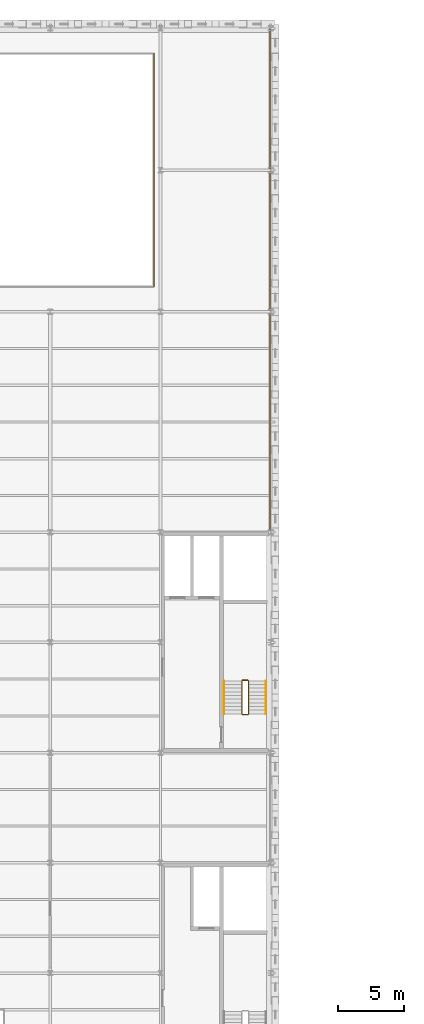
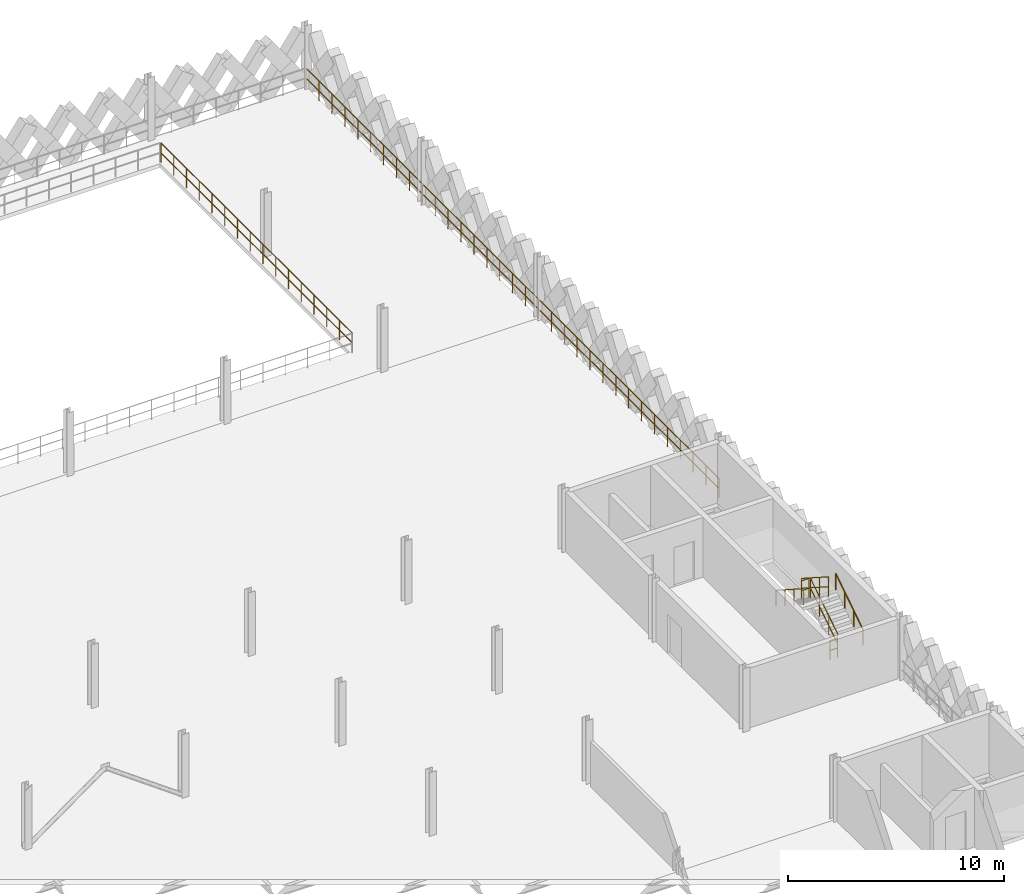
# One storey, part 72 of 74: 8 railings.
"""IFC4 building model written with IfcOpenShell, lengths in metres."""

from ifc_helpers import new_model, si_unit, direction, frame, origin, origin_2d, place, context, subcontext, project, spatial, circle, extrude, material, type_object, element, save


model = new_model("IFC4")

# Units and contexts
model_context = context("Model", 3, precision=1e-05, world=origin(), true_north=direction((0.0, 1.0)))
body_context = subcontext(model_context, "Body", "Model", "MODEL_VIEW")
ifc_project = project(units=[si_unit("LENGTHUNIT", "METRE"), si_unit("AREAUNIT", "SQUARE_METRE"), si_unit("VOLUMEUNIT", "CUBIC_METRE"), si_unit("PLANEANGLEUNIT", "RADIAN"), si_unit("MASSUNIT", "GRAM", prefix="KILO"), si_unit("THERMODYNAMICTEMPERATUREUNIT", "KELVIN"), si_unit("POWERUNIT", "WATT")], contexts=[model_context])

# Site, building, storey
site_placement = place(None, origin())
site = spatial("IfcSite", under=ifc_project, at=site_placement, CompositionType="ELEMENT")
building_placement = place(site_placement, origin())
building = spatial("IfcBuilding", under=site, at=building_placement, Name="Tembeka Court Mobility Hub", CompositionType="ELEMENT")
storey_placement = place(building_placement, frame((0.0, 0.0, 12.60009765625)))
storey = spatial("IfcBuildingStorey", under=building, at=storey_placement, Name="L03", CompositionType="ELEMENT", Elevation=12.60009765625)

# Railings
ifc_material_1 = material(Name="Painted galvanised steel balustrade", Category="steel")
railing_type_1 = type_object("IfcRailingType", Name="RL-GR01", PredefinedType="GUARDRAIL", material=ifc_material_1)
railing_1_placement = place(storey_placement, frame((83.5, 99.1298828125, 0.0)))
element("IfcRailing", 1, at=railing_1_placement, inside=storey, type_object=railing_type_1, Name="Perimeter guard GR01-0116", PredefinedType="GUARDRAIL", context=body_context, shape_type="SweptSolid", body=[
    extrude(circle(Radius=0.02392578125, at=origin_2d()), frame((0.0, 0.0, 1.09619140625), z_axis=(0.0, 1.0, 0.0), x_axis=(-1.0, 0.0, 0.0)), (0.0, 0.0, 1.0), 17.740234375),
    extrude(circle(Radius=0.02392578125, at=origin_2d()), frame((0.0, 0.0, 0.5361328125), z_axis=(0.0, 1.0, 0.0), x_axis=(-1.0, 0.0, 0.0)), (0.0, 0.0, 1.0), 17.740234375),
    extrude(circle(Radius=0.02099609375, at=origin_2d()), origin(), (0.0, 0.0, 1.0), 1.072021484375),
    extrude(circle(Radius=0.02099609375, at=origin_2d()), frame((0.0, 1.1826171875, 0.0)), (0.0, 0.0, 1.0), 1.072021484375),
    extrude(circle(Radius=0.02099609375, at=origin_2d()), frame((0.0, 2.365478515625, 0.0)), (0.0, 0.0, 1.0), 1.072021484375),
    extrude(circle(Radius=0.02099609375, at=origin_2d()), frame((0.0, 3.548095703125, 0.0)), (0.0, 0.0, 1.0), 1.072021484375),
    extrude(circle(Radius=0.02099609375, at=origin_2d()), frame((0.0, 4.730712890625, 0.0)), (0.0, 0.0, 1.0), 1.072021484375),
    extrude(circle(Radius=0.02099609375, at=origin_2d()), frame((0.0, 5.913330078125, 0.0)), (0.0, 0.0, 1.0), 1.072021484375),
    extrude(circle(Radius=0.02099609375, at=origin_2d()), frame((0.0, 7.09619140625, 0.0)), (0.0, 0.0, 1.0), 1.072021484375),
    extrude(circle(Radius=0.02099609375, at=origin_2d()), frame((0.0, 8.27880859375, 0.0)), (0.0, 0.0, 1.0), 1.072021484375),
    extrude(circle(Radius=0.02099609375, at=origin_2d()), frame((0.0, 9.46142578125, 0.0)), (0.0, 0.0, 1.0), 1.072021484375),
    extrude(circle(Radius=0.02099609375, at=origin_2d()), frame((0.0, 10.64404296875, 0.0)), (0.0, 0.0, 1.0), 1.072021484375),
    extrude(circle(Radius=0.02099609375, at=origin_2d()), frame((0.0, 11.826904296875, 0.0)), (0.0, 0.0, 1.0), 1.072021484375),
    extrude(circle(Radius=0.02099609375, at=origin_2d()), frame((0.0, 13.009521484375, 0.0)), (0.0, 0.0, 1.0), 1.072021484375),
    extrude(circle(Radius=0.02099609375, at=origin_2d()), frame((0.0, 14.192138671875, 0.0)), (0.0, 0.0, 1.0), 1.072021484375),
    extrude(circle(Radius=0.02099609375, at=origin_2d()), frame((0.0, 15.374755859375, 0.0)), (0.0, 0.0, 1.0), 1.072021484375),
    extrude(circle(Radius=0.02099609375, at=origin_2d()), frame((0.0, 16.5576171875, 0.0)), (0.0, 0.0, 1.0), 1.072021484375),
    extrude(circle(Radius=0.02099609375, at=origin_2d()), frame((0.0, 17.740234375, 0.0)), (0.0, 0.0, 1.0), 1.072021484375),
])
railing_2_placement = place(storey_placement, frame((90.699951171875, 66.550048828125, 0.179931640625)))
element("IfcRailing", 2, at=railing_2_placement, inside=storey, type_object=railing_type_1, Name="L03 ST02 stair guard 1-1", PredefinedType="GUARDRAIL", context=body_context, shape_type="SweptSolid", body=[
    extrude(circle(Radius=0.02392578125, at=origin_2d()), frame((0.0, 0.0, 1.09619140625), z_axis=(0.0, 0.841199657755, 0.540724639528), x_axis=(-1.0, 0.0, 0.0)), (0.0, 0.0, 1.0), 2.995849609375),
    extrude(circle(Radius=0.02392578125, at=origin_2d()), frame((0.0, 0.0, 0.5361328125), z_axis=(0.0, 0.841199657755, 0.540724639528), x_axis=(-1.0, 0.0, 0.0)), (0.0, 0.0, 1.0), 2.995849609375),
    extrude(circle(Radius=0.02099609375, at=origin_2d()), origin(), (0.0, 0.0, 1.0), 1.072021484375),
    extrude(circle(Radius=0.02099609375, at=origin_2d()), frame((0.0, 0.840087890625, 0.5400390625)), (0.0, 0.0, 1.0), 1.072021484375),
    extrude(circle(Radius=0.02099609375, at=origin_2d()), frame((0.0, 1.679931640625, 1.079833984375)), (0.0, 0.0, 1.0), 1.072021484375),
    extrude(circle(Radius=0.02099609375, at=origin_2d()), frame((0.0, 2.52001953125, 1.619873046875)), (0.0, 0.0, 1.0), 1.072021484375),
])
railing_3_placement = place(storey_placement, frame((90.64990234375, 69.1201171875, 1.7998046875)))
element("IfcRailing", 3, at=railing_3_placement, inside=storey, type_object=railing_type_1, Name="L03 ST02 stair guard 2-1", PredefinedType="GUARDRAIL", context=body_context, shape_type="SweptSolid", body=[
    extrude(circle(Radius=0.02392578125, at=origin_2d()), frame((0.0, 0.0, 1.09619140625), z_axis=(-1.0, 0.0, 0.0), x_axis=(0.0, -1.0, 0.0)), (0.0, 0.0, 1.0), 0.39990234375),
    extrude(circle(Radius=0.02392578125, at=origin_2d()), frame((0.0, 0.0, 0.5361328125), z_axis=(-1.0, 0.0, 0.0), x_axis=(0.0, -1.0, 0.0)), (0.0, 0.0, 1.0), 0.39990234375),
    extrude(circle(Radius=0.02099609375, at=origin_2d()), origin(), (0.0, 0.0, 1.0), 1.072021484375),
    extrude(circle(Radius=0.02099609375, at=origin_2d()), frame((-0.39990234375, 0.0, 0.0)), (0.0, 0.0, 1.0), 1.072021484375),
])
railing_4_placement = place(storey_placement, frame((90.199951171875, 69.070068359375, 1.97998046875)))
element("IfcRailing", 4, at=railing_4_placement, inside=storey, type_object=railing_type_1, Name="L03 ST02 stair guard 3-1", PredefinedType="GUARDRAIL", context=body_context, shape_type="SweptSolid", body=[
    extrude(circle(Radius=0.02392578125, at=origin_2d()), frame((0.0, 0.0, 1.09619140625), z_axis=(0.0, -0.841199657755, 0.540724639528), x_axis=(1.0, 0.0, 0.0)), (0.0, 0.0, 1.0), 2.995849609375),
    extrude(circle(Radius=0.02392578125, at=origin_2d()), frame((0.0, 0.0, 0.5361328125), z_axis=(0.0, -0.841199657755, 0.540724639528), x_axis=(1.0, 0.0, 0.0)), (0.0, 0.0, 1.0), 2.995849609375),
    extrude(circle(Radius=0.02099609375, at=origin_2d()), origin(), (0.0, 0.0, 1.0), 1.072021484375),
    extrude(circle(Radius=0.02099609375, at=origin_2d()), frame((0.0, -0.840087890625, 0.5400390625)), (0.0, 0.0, 1.0), 1.072021484375),
    extrude(circle(Radius=0.02099609375, at=origin_2d()), frame((0.0, -1.679931640625, 1.079833984375)), (0.0, 0.0, 1.0), 1.072021484375),
    extrude(circle(Radius=0.02099609375, at=origin_2d()), frame((0.0, -2.52001953125, 1.619873046875)), (0.0, 0.0, 1.0), 1.072021484375),
])
railing_5_placement = place(storey_placement, frame((90.64990234375, 66.5, 0.0)))
element("IfcRailing", 5, at=railing_5_placement, inside=storey, type_object=railing_type_1, Name="L03 ST02 stair guard 4-1", PredefinedType="GUARDRAIL", context=body_context, shape_type="SweptSolid", body=[
    extrude(circle(Radius=0.02392578125, at=origin_2d()), frame((0.0, 0.0, 1.09619140625), z_axis=(-1.0, 0.0, 0.0), x_axis=(0.0, -1.0, 0.0)), (0.0, 0.0, 1.0), 0.39990234375),
    extrude(circle(Radius=0.02392578125, at=origin_2d()), frame((0.0, 0.0, 0.5361328125), z_axis=(-1.0, 0.0, 0.0), x_axis=(0.0, -1.0, 0.0)), (0.0, 0.0, 1.0), 0.39990234375),
    extrude(circle(Radius=0.02099609375, at=origin_2d()), origin(), (0.0, 0.0, 1.0), 1.072021484375),
    extrude(circle(Radius=0.02099609375, at=origin_2d()), frame((-0.39990234375, 0.0, 0.0)), (0.0, 0.0, 1.0), 1.072021484375),
])
railing_type_2 = type_object("IfcRailingType", Name="RL-GR02", PredefinedType="GUARDRAIL", material=ifc_material_1)
railing_6_placement = place(storey_placement, frame((92.35009765625, 80.429931640625, 0.0)))
element("IfcRailing", 6, at=railing_6_placement, inside=storey, type_object=railing_type_2, Name="Perimeter guard GR02-0126", PredefinedType="GUARDRAIL", context=body_context, shape_type="SweptSolid", body=[
    extrude(circle(Radius=0.02392578125, at=origin_2d()), frame((0.0, 0.0, 1.09619140625), z_axis=(0.0, 1.0, 0.0), x_axis=(-1.0, 0.0, 0.0)), (0.0, 0.0, 1.0), 38.2900390625),
    extrude(circle(Radius=0.02392578125, at=origin_2d()), frame((0.0, 0.0, 0.5361328125), z_axis=(0.0, 1.0, 0.0), x_axis=(-1.0, 0.0, 0.0)), (0.0, 0.0, 1.0), 38.2900390625),
    extrude(circle(Radius=0.02099609375, at=origin_2d()), origin(), (0.0, 0.0, 1.0), 1.072021484375),
    extrude(circle(Radius=0.02099609375, at=origin_2d()), frame((0.0, 1.196533203125, 0.0)), (0.0, 0.0, 1.0), 1.072021484375),
    extrude(circle(Radius=0.02099609375, at=origin_2d()), frame((0.0, 2.39306640625, 0.0)), (0.0, 0.0, 1.0), 1.072021484375),
    extrude(circle(Radius=0.02099609375, at=origin_2d()), frame((0.0, 3.589599609375, 0.0)), (0.0, 0.0, 1.0), 1.072021484375),
    extrude(circle(Radius=0.02099609375, at=origin_2d()), frame((0.0, 4.7861328125, 0.0)), (0.0, 0.0, 1.0), 1.072021484375),
    extrude(circle(Radius=0.02099609375, at=origin_2d()), frame((0.0, 5.98291015625, 0.0)), (0.0, 0.0, 1.0), 1.072021484375),
    extrude(circle(Radius=0.02099609375, at=origin_2d()), frame((0.0, 7.179443359375, 0.0)), (0.0, 0.0, 1.0), 1.072021484375),
    extrude(circle(Radius=0.02099609375, at=origin_2d()), frame((0.0, 8.3759765625, 0.0)), (0.0, 0.0, 1.0), 1.072021484375),
    extrude(circle(Radius=0.02099609375, at=origin_2d()), frame((0.0, 9.572509765625, 0.0)), (0.0, 0.0, 1.0), 1.072021484375),
    extrude(circle(Radius=0.02099609375, at=origin_2d()), frame((0.0, 10.76904296875, 0.0)), (0.0, 0.0, 1.0), 1.072021484375),
    extrude(circle(Radius=0.02099609375, at=origin_2d()), frame((0.0, 11.965576171875, 0.0)), (0.0, 0.0, 1.0), 1.072021484375),
    extrude(circle(Radius=0.02099609375, at=origin_2d()), frame((0.0, 13.162109375, 0.0)), (0.0, 0.0, 1.0), 1.072021484375),
    extrude(circle(Radius=0.02099609375, at=origin_2d()), frame((0.0, 14.35888671875, 0.0)), (0.0, 0.0, 1.0), 1.072021484375),
    extrude(circle(Radius=0.02099609375, at=origin_2d()), frame((0.0, 15.555419921875, 0.0)), (0.0, 0.0, 1.0), 1.072021484375),
    extrude(circle(Radius=0.02099609375, at=origin_2d()), frame((0.0, 16.751953125, 0.0)), (0.0, 0.0, 1.0), 1.072021484375),
    extrude(circle(Radius=0.02099609375, at=origin_2d()), frame((0.0, 17.948486328125, 0.0)), (0.0, 0.0, 1.0), 1.072021484375),
    extrude(circle(Radius=0.02099609375, at=origin_2d()), frame((0.0, 19.14501953125, 0.0)), (0.0, 0.0, 1.0), 1.072021484375),
    extrude(circle(Radius=0.02099609375, at=origin_2d()), frame((0.0, 20.341552734375, 0.0)), (0.0, 0.0, 1.0), 1.072021484375),
    extrude(circle(Radius=0.02099609375, at=origin_2d()), frame((0.0, 21.5380859375, 0.0)), (0.0, 0.0, 1.0), 1.072021484375),
    extrude(circle(Radius=0.02099609375, at=origin_2d()), frame((0.0, 22.734619140625, 0.0)), (0.0, 0.0, 1.0), 1.072021484375),
    extrude(circle(Radius=0.02099609375, at=origin_2d()), frame((0.0, 23.93115234375, 0.0)), (0.0, 0.0, 1.0), 1.072021484375),
    extrude(circle(Radius=0.02099609375, at=origin_2d()), frame((0.0, 25.1279296875, 0.0)), (0.0, 0.0, 1.0), 1.072021484375),
    extrude(circle(Radius=0.02099609375, at=origin_2d()), frame((0.0, 26.324462890625, 0.0)), (0.0, 0.0, 1.0), 1.072021484375),
    extrude(circle(Radius=0.02099609375, at=origin_2d()), frame((0.0, 27.52099609375, 0.0)), (0.0, 0.0, 1.0), 1.072021484375),
    extrude(circle(Radius=0.02099609375, at=origin_2d()), frame((0.0, 28.717529296875, 0.0)), (0.0, 0.0, 1.0), 1.072021484375),
    extrude(circle(Radius=0.02099609375, at=origin_2d()), frame((0.0, 29.9140625, 0.0)), (0.0, 0.0, 1.0), 1.072021484375),
    extrude(circle(Radius=0.02099609375, at=origin_2d()), frame((0.0, 31.110595703125, 0.0)), (0.0, 0.0, 1.0), 1.072021484375),
    extrude(circle(Radius=0.02099609375, at=origin_2d()), frame((0.0, 32.30712890625, 0.0)), (0.0, 0.0, 1.0), 1.072021484375),
    extrude(circle(Radius=0.02099609375, at=origin_2d()), frame((0.0, 33.50390625, 0.0)), (0.0, 0.0, 1.0), 1.072021484375),
    extrude(circle(Radius=0.02099609375, at=origin_2d()), frame((0.0, 34.700439453125, 0.0)), (0.0, 0.0, 1.0), 1.072021484375),
    extrude(circle(Radius=0.02099609375, at=origin_2d()), frame((0.0, 35.89697265625, 0.0)), (0.0, 0.0, 1.0), 1.072021484375),
    extrude(circle(Radius=0.02099609375, at=origin_2d()), frame((0.0, 37.093505859375, 0.0)), (0.0, 0.0, 1.0), 1.072021484375),
    extrude(circle(Radius=0.02099609375, at=origin_2d()), frame((0.0, 38.2900390625, 0.0)), (0.0, 0.0, 1.0), 1.072021484375),
])
ifc_material_2 = material(Name="Brushed stainless steel handrail", Category="steel")
railing_type_3 = type_object("IfcRailingType", Name="RL-HR01", PredefinedType="HANDRAIL", material=ifc_material_2)
railing_7_placement = place(storey_placement, frame((92.050048828125, 66.550048828125, 0.179931640625)))
element("IfcRailing", 7, at=railing_7_placement, inside=storey, type_object=railing_type_3, Name="L03 ST02 handrail 1-1", PredefinedType="HANDRAIL", context=body_context, shape_type="SweptSolid", body=[
    extrude(circle(Radius=0.02392578125, at=origin_2d()), frame((0.0, 0.0, 0.89599609375), z_axis=(0.0, 0.841199657755, 0.540724639528), x_axis=(-1.0, 0.0, 0.0)), (0.0, 0.0, 1.0), 2.995849609375),
    extrude(circle(Radius=0.02099609375, at=origin_2d()), origin(), (0.0, 0.0, 1.0), 0.871826171875),
    extrude(circle(Radius=0.02099609375, at=origin_2d()), frame((0.0, 0.840087890625, 0.5400390625)), (0.0, 0.0, 1.0), 0.871826171875),
    extrude(circle(Radius=0.02099609375, at=origin_2d()), frame((0.0, 1.679931640625, 1.079833984375)), (0.0, 0.0, 1.0), 0.871826171875),
    extrude(circle(Radius=0.02099609375, at=origin_2d()), frame((0.0, 2.52001953125, 1.619873046875)), (0.0, 0.0, 1.0), 0.871826171875),
])
railing_8_placement = place(storey_placement, frame((88.85009765625, 69.070068359375, 1.97998046875)))
element("IfcRailing", 8, at=railing_8_placement, inside=storey, type_object=railing_type_3, Name="L03 ST02 handrail 2-1", PredefinedType="HANDRAIL", context=body_context, shape_type="SweptSolid", body=[
    extrude(circle(Radius=0.02392578125, at=origin_2d()), frame((0.0, 0.0, 0.89599609375), z_axis=(0.0, -0.841199657755, 0.540724639528), x_axis=(1.0, 0.0, 0.0)), (0.0, 0.0, 1.0), 2.995849609375),
    extrude(circle(Radius=0.02099609375, at=origin_2d()), origin(), (0.0, 0.0, 1.0), 0.871826171875),
    extrude(circle(Radius=0.02099609375, at=origin_2d()), frame((0.0, -0.840087890625, 0.5400390625)), (0.0, 0.0, 1.0), 0.871826171875),
    extrude(circle(Radius=0.02099609375, at=origin_2d()), frame((0.0, -1.679931640625, 1.079833984375)), (0.0, 0.0, 1.0), 0.871826171875),
    extrude(circle(Radius=0.02099609375, at=origin_2d()), frame((0.0, -2.52001953125, 1.619873046875)), (0.0, 0.0, 1.0), 0.871826171875),
])

save(model, "model.ifc")
